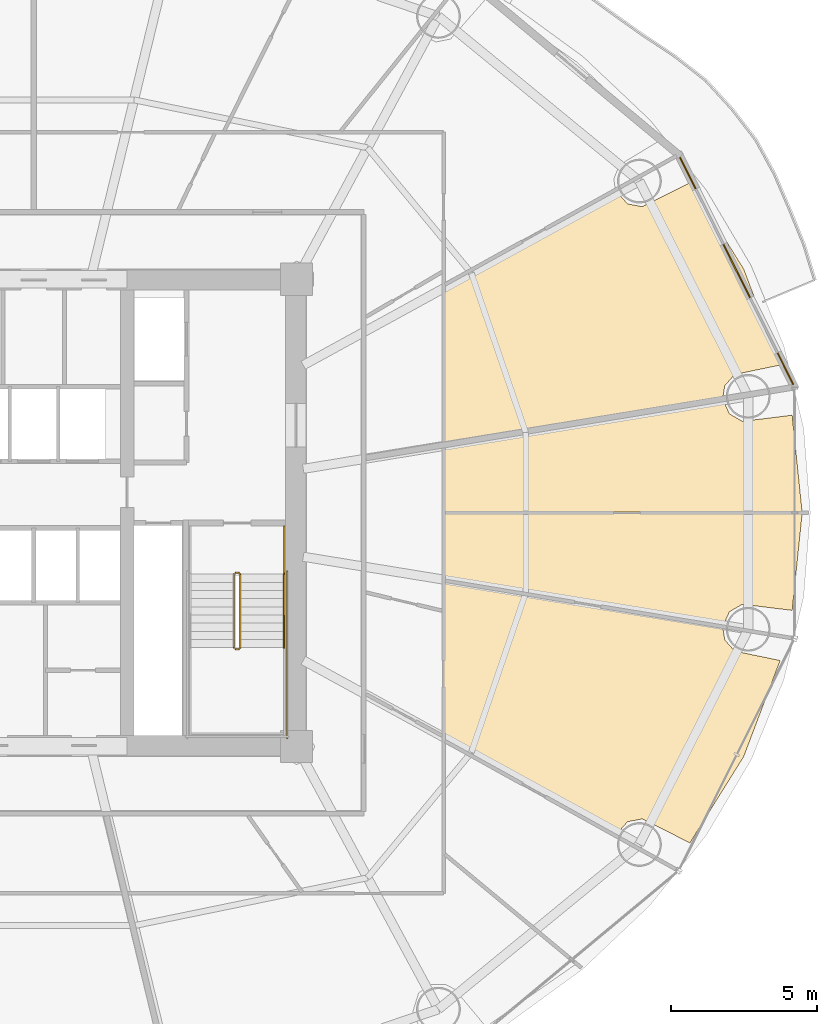
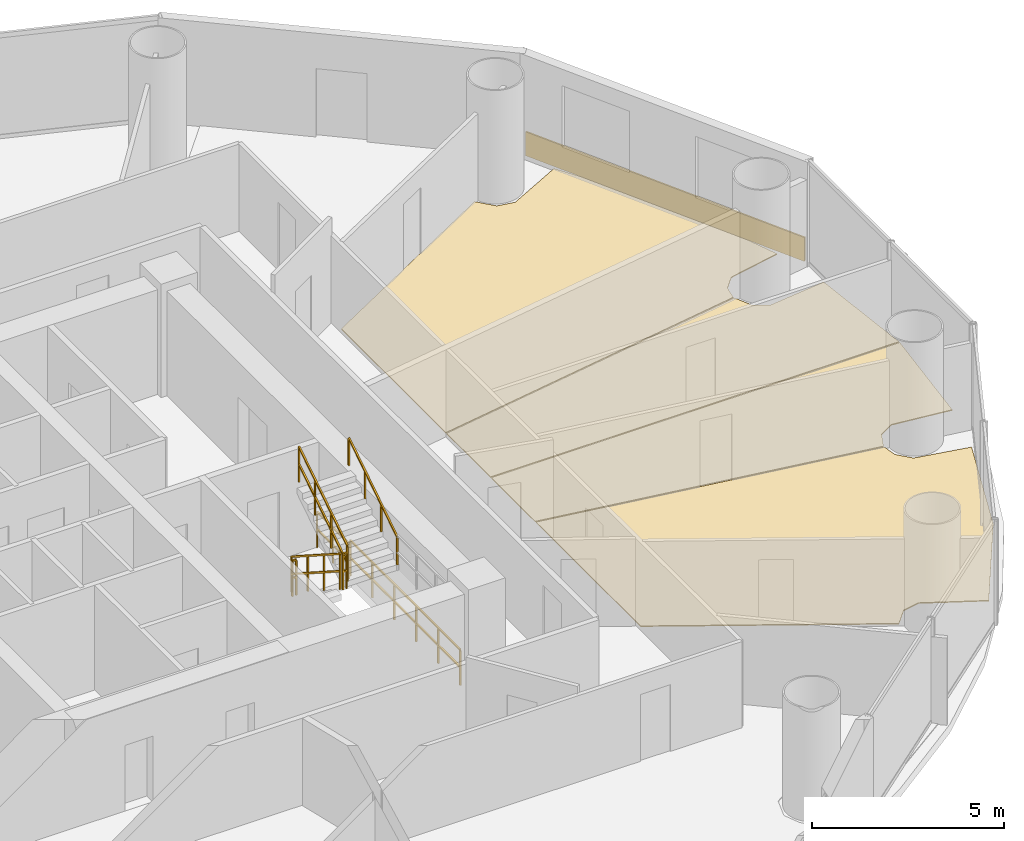
# One storey, part 28 of 29: 7 railings, 5 coverings.
"""IFC4 building model written with IfcOpenShell, lengths in metres."""

from ifc_helpers import new_model, si_unit, direction, frame, origin, origin_2d, place, context, subcontext, project, spatial, polyline, rectangle, outline, extrude, source, transform, mapped, material, layer, layer_set, type_object, element, save


model = new_model("IFC4")

# Units and contexts
model_context = context("Model", 3, precision=1e-05, world=origin(), true_north=direction((-0.2419218956, 0.970295726276)))
body_context = subcontext(model_context, "Body", "Model", "MODEL_VIEW")
ifc_project = project(units=[si_unit("LENGTHUNIT", "METRE"), si_unit("AREAUNIT", "SQUARE_METRE"), si_unit("VOLUMEUNIT", "CUBIC_METRE"), si_unit("PLANEANGLEUNIT", "RADIAN"), si_unit("MASSUNIT", "GRAM", prefix="KILO")], contexts=[model_context])

# Site, building, storey
site_placement = place(None, origin())
site = spatial("IfcSite", under=ifc_project, at=site_placement, CompositionType="ELEMENT")
building_placement = place(site_placement, origin())
building = spatial("IfcBuilding", under=site, at=building_placement, Name="Cobrevalo Terracotta Tower", CompositionType="ELEMENT")
storey_placement = place(building_placement, frame((0.0, 0.0, 79.800048828125)))
storey = spatial("IfcBuildingStorey", under=building, at=storey_placement, Name="L20", CompositionType="ELEMENT", Elevation=79.800048828125)

# Coverings
ifc_material_1 = material(Name="Engineered Brazilian hardwood flooring", Category="wood")
ifc_layer_1 = layer(ifc_material_1, 0.028076171875)
ifc_layer_set_1 = layer_set([ifc_layer_1], Name="Engineered Brazilian hardwood flooring")
covering_type_1 = type_object("IfcCoveringType", Name="Engineered Hardwood Suite Flooring 28", PredefinedType="FLOORING", material=ifc_layer_set_1)
covering_1_placement = place(storey_placement, origin())
element("IfcCovering", 1, at=covering_1_placement, inside=storey, type_object=covering_type_1, Name="Flat L20A Living and Dining Room floor finish", PredefinedType="FLOORING", context=body_context, shape_type="SweptSolid", body=[
    extrude(outline(polyline([(62.317138671875, 35.14892578125), (63.564208984375, 31.859619140625), (62.00732421875, 31.537841796875), (61.669677734375, 31.154541015625), (61.597412109375, 30.719970703125), (52.054931640625, 29.14306640625), (52.054931640625, 34.57958984375), (57.9296875, 37.8408203125), (58.338134765625, 37.381103515625), (58.84033203125, 37.286376953125), (60.474853515625, 38.10546875), (62.317138671875, 35.14892578125)])), origin(), (0.0, 0.0, 1.0), 0.030029296875),
])
covering_2_placement = place(storey_placement, origin())
element("IfcCovering", 2, at=covering_2_placement, inside=storey, type_object=covering_type_1, Name="Flat L20D Penthouse Family Lounge floor finish", PredefinedType="FLOORING", context=body_context, shape_type="SweptSolid", body=[
    extrude(outline(polyline([(60.474853515625, 15.49462890625), (58.84033203125, 16.3134765625), (58.338134765625, 16.218994140625), (57.9296875, 15.759033203125), (52.054931640625, 19.020263671875), (52.054931640625, 24.45703125), (61.597412109375, 22.8798828125), (61.669677734375, 22.445556640625), (62.00732421875, 22.06201171875), (63.564208984375, 21.740478515625), (62.317138671875, 18.451171875), (60.474853515625, 15.49462890625)])), origin(), (0.0, 0.0, 1.0), 0.030029296875),
])
covering_3_placement = place(storey_placement, origin())
element("IfcCovering", 3, at=covering_3_placement, inside=storey, type_object=covering_type_1, Name="Flat L20D Principal Guest Bedroom floor finish", PredefinedType="FLOORING", context=body_context, shape_type="SweptSolid", body=[
    extrude(outline(polyline([(64.318359375, 26.780029296875), (63.975830078125, 23.45654296875), (62.26904296875, 23.6669921875), (61.8271484375, 23.41064453125), (61.60302734375, 22.919677734375), (52.054931640625, 24.49755859375), (52.054931640625, 26.780029296875), (64.318359375, 26.780029296875)])), origin(), (0.0, 0.0, 1.0), 0.030029296875),
])
covering_4_placement = place(storey_placement, origin())
element("IfcCovering", 4, at=covering_4_placement, inside=storey, type_object=covering_type_1, Name="Flat L20D Penthouse Family Lounge floor finish", PredefinedType="FLOORING", context=body_context, shape_type="SweptSolid", body=[
    extrude(outline(polyline([(61.60302734375, 30.680419921875), (61.8271484375, 30.189208984375), (62.26904296875, 29.932861328125), (63.975830078125, 30.143310546875), (64.318359375, 26.820068359375), (52.054931640625, 26.820068359375), (52.054931640625, 29.1025390625), (61.60302734375, 30.680419921875)])), origin(), (0.0, 0.0, 1.0), 0.030029296875),
])

# Railings
ifc_material_2 = material(Name="Brushed stainless steel", Category="steel")
railing_type_1 = type_object("IfcRailingType", Name="Stainless Steel Stair Handrail 900", PredefinedType="HANDRAIL", material=ifc_material_2)
railing_1_placement = place(storey_placement, frame((46.574951171875, 22.179931640625, 1.97998046875)))
element("IfcRailing", 5, at=railing_1_placement, inside=storey, type_object=railing_type_1, Name="L20 ST-2 stair handrail 2", PredefinedType="HANDRAIL", context=body_context, shape_type="SweptSolid", body=[
    extrude(rectangle(XDim=0.048095703125, YDim=0.048095703125, at=origin_2d()), frame((0.0, 0.0, 0.8759765625), z_axis=(0.0, 0.841199657755, 0.540724639528), x_axis=(-1.0, 0.0, 0.0)), (0.0, 0.0, 1.0), 2.995849609375),
    extrude(rectangle(XDim=0.0419921875, YDim=0.0419921875, at=origin_2d()), origin(), (0.0, 0.0, 1.0), 0.851806640625),
    extrude(rectangle(XDim=0.0419921875, YDim=0.0419921875, at=origin_2d()), frame((0.0, 0.840087890625, 0.5400390625)), (0.0, 0.0, 1.0), 0.851806640625),
    extrude(rectangle(XDim=0.0419921875, YDim=0.0419921875, at=origin_2d()), frame((0.0, 1.679931640625, 1.079833984375)), (0.0, 0.0, 1.0), 0.851806640625),
    extrude(rectangle(XDim=0.0419921875, YDim=0.0419921875, at=origin_2d()), frame((0.0, 2.52001953125, 1.619873046875)), (0.0, 0.0, 1.0), 0.851806640625),
])
ifc_material_3 = material(Name="Painted galvanized steel", Category="steel")
railing_type_2 = type_object("IfcRailingType", Name="Stair Well Guard Balustrade 1150", PredefinedType="GUARDRAIL", material=ifc_material_3)
railing_2_placement = place(storey_placement, frame((44.85498046875, 24.699951171875, 0.179931640625)))
element("IfcRailing", 6, at=railing_2_placement, inside=storey, type_object=railing_type_2, Name="L20 ST-2 stair guard 1", PredefinedType="GUARDRAIL", context=body_context, shape_type="SweptSolid", body=[
    extrude(rectangle(XDim=0.048095703125, YDim=0.048095703125, at=origin_2d()), frame((0.0, 0.0, 1.1259765625), z_axis=(0.0, -0.841162588446, 0.540782303519), x_axis=(1.0, 0.0, 0.0)), (0.0, 0.0, 1.0), 2.995849609375),
    extrude(rectangle(XDim=0.048095703125, YDim=0.048095703125, at=origin_2d()), frame((0.0, 0.0, 0.574951171875), z_axis=(0.0, -0.841162588446, 0.540782303519), x_axis=(1.0, 0.0, 0.0)), (0.0, 0.0, 1.0), 2.995849609375),
    extrude(rectangle(XDim=0.0419921875, YDim=0.0419921875, at=origin_2d()), origin(), (0.0, 0.0, 1.0), 1.101806640625),
    extrude(rectangle(XDim=0.0419921875, YDim=0.0419921875, at=origin_2d()), frame((0.0, -0.840087890625, 0.5400390625)), (0.0, 0.0, 1.0), 1.101806640625),
    extrude(rectangle(XDim=0.0419921875, YDim=0.0419921875, at=origin_2d()), frame((0.0, -1.679931640625, 1.080078125)), (0.0, 0.0, 1.0), 1.101806640625),
    extrude(rectangle(XDim=0.0419921875, YDim=0.0419921875, at=origin_2d()), frame((0.0, -2.52001953125, 1.6201171875)), (0.0, 0.0, 1.0), 1.101806640625),
])
railing_3_placement = place(storey_placement, frame((44.905029296875, 22.1298828125, 1.800048828125)))
element("IfcRailing", 7, at=railing_3_placement, inside=storey, type_object=railing_type_2, Name="L20 ST-2 stair guard 2", PredefinedType="GUARDRAIL", context=body_context, shape_type="SweptSolid", body=[
    extrude(rectangle(XDim=0.048095703125, YDim=0.048095703125, at=origin_2d()), frame((0.0, 0.0, 1.1259765625), z_axis=(1.0, 0.0, 0.0), x_axis=(0.0, 1.0, 0.0)), (0.0, 0.0, 1.0), 0.119873046875),
    extrude(rectangle(XDim=0.048095703125, YDim=0.048095703125, at=origin_2d()), frame((0.0, 0.0, 0.574951171875), z_axis=(1.0, 0.0, 0.0), x_axis=(0.0, 1.0, 0.0)), (0.0, 0.0, 1.0), 0.119873046875),
    extrude(rectangle(XDim=0.0419921875, YDim=0.0419921875, at=origin_2d()), origin(), (0.0, 0.0, 1.0), 1.101806640625),
    extrude(rectangle(XDim=0.0419921875, YDim=0.0419921875, at=origin_2d()), frame((0.119873046875, 0.0, 0.0)), (0.0, 0.0, 1.0), 1.101806640625),
])
railing_4_placement = place(storey_placement, frame((45.074951171875, 22.179931640625, 1.97998046875)))
element("IfcRailing", 8, at=railing_4_placement, inside=storey, type_object=railing_type_2, Name="L20 ST-2 stair guard 6", PredefinedType="GUARDRAIL", context=body_context, shape_type="SweptSolid", body=[
    extrude(rectangle(XDim=0.048095703125, YDim=0.048095703125, at=origin_2d()), frame((0.0, 0.0, 1.1259765625), z_axis=(0.0, 0.841199657755, 0.540724639528), x_axis=(-1.0, 0.0, 0.0)), (0.0, 0.0, 1.0), 2.995849609375),
    extrude(rectangle(XDim=0.048095703125, YDim=0.048095703125, at=origin_2d()), frame((0.0, 0.0, 0.574951171875), z_axis=(0.0, 0.841199657755, 0.540724639528), x_axis=(-1.0, 0.0, 0.0)), (0.0, 0.0, 1.0), 2.995849609375),
    extrude(rectangle(XDim=0.0419921875, YDim=0.0419921875, at=origin_2d()), origin(), (0.0, 0.0, 1.0), 1.101806640625),
    extrude(rectangle(XDim=0.0419921875, YDim=0.0419921875, at=origin_2d()), frame((0.0, 0.840087890625, 0.5400390625)), (0.0, 0.0, 1.0), 1.101806640625),
    extrude(rectangle(XDim=0.0419921875, YDim=0.0419921875, at=origin_2d()), frame((0.0, 1.679931640625, 1.079833984375)), (0.0, 0.0, 1.0), 1.101806640625),
    extrude(rectangle(XDim=0.0419921875, YDim=0.0419921875, at=origin_2d()), frame((0.0, 2.52001953125, 1.619873046875)), (0.0, 0.0, 1.0), 1.101806640625),
])
railing_5_placement = place(storey_placement, frame((44.905029296875, 24.75, 0.0)))
element("IfcRailing", 9, at=railing_5_placement, inside=storey, type_object=railing_type_2, Name="L20 ST-2 stair guard 7", PredefinedType="GUARDRAIL", context=body_context, shape_type="SweptSolid", body=[
    extrude(rectangle(XDim=0.048095703125, YDim=0.048095703125, at=origin_2d()), frame((0.0, 0.0, 1.1259765625), z_axis=(1.0, 0.0, 0.0), x_axis=(0.0, 1.0, 0.0)), (0.0, 0.0, 1.0), 0.119873046875),
    extrude(rectangle(XDim=0.048095703125, YDim=0.048095703125, at=origin_2d()), frame((0.0, 0.0, 0.574951171875), z_axis=(1.0, 0.0, 0.0), x_axis=(0.0, 1.0, 0.0)), (0.0, 0.0, 1.0), 0.119873046875),
    extrude(rectangle(XDim=0.0419921875, YDim=0.0419921875, at=origin_2d()), origin(), (0.0, 0.0, 1.0), 1.101806640625),
    extrude(rectangle(XDim=0.0419921875, YDim=0.0419921875, at=origin_2d()), frame((0.119873046875, 0.0, 0.0)), (0.0, 0.0, 1.0), 1.101806640625),
])
railing_6_placement = place(storey_placement, frame((46.574951171875, 26.35009765625, 0.0)))
element("IfcRailing", 10, at=railing_6_placement, inside=storey, type_object=railing_type_2, Name="L20 ST-2 stair guard 9", PredefinedType="GUARDRAIL", context=body_context, shape_type="SweptSolid", body=[
    extrude(rectangle(XDim=0.048095703125, YDim=0.048095703125, at=origin_2d()), frame((0.0, 0.0, 1.1259765625), z_axis=(0.0, -1.0, 0.0), x_axis=(1.0, 0.0, 0.0)), (0.0, 0.0, 1.0), 1.650146484375),
    extrude(rectangle(XDim=0.048095703125, YDim=0.048095703125, at=origin_2d()), frame((0.0, 0.0, 0.574951171875), z_axis=(0.0, -1.0, 0.0), x_axis=(1.0, 0.0, 0.0)), (0.0, 0.0, 1.0), 1.650146484375),
    extrude(rectangle(XDim=0.0419921875, YDim=0.0419921875, at=origin_2d()), origin(), (0.0, 0.0, 1.0), 1.101806640625),
    extrude(rectangle(XDim=0.0419921875, YDim=0.0419921875, at=origin_2d()), frame((0.0, -0.8251953125, 0.0)), (0.0, 0.0, 1.0), 1.101806640625),
    extrude(rectangle(XDim=0.0419921875, YDim=0.0419921875, at=origin_2d()), frame((0.0, -1.650146484375, 0.0)), (0.0, 0.0, 1.0), 1.101806640625),
])
railing_7_placement = place(storey_placement, frame((46.675048828125, 24.800048828125, 0.0)))
element("IfcRailing", 11, at=railing_7_placement, inside=storey, type_object=railing_type_2, Name="L20 ST-2 stair guard 11", PredefinedType="GUARDRAIL", context=body_context, shape_type="SweptSolid", body=[
    extrude(rectangle(XDim=0.048095703125, YDim=0.048095703125, at=origin_2d()), frame((0.0, 0.0, 1.1259765625), z_axis=(0.0, -1.0, 0.0), x_axis=(1.0, 0.0, 0.0)), (0.0, 0.0, 1.0), 5.72509765625),
    extrude(rectangle(XDim=0.048095703125, YDim=0.048095703125, at=origin_2d()), frame((0.0, 0.0, 0.574951171875), z_axis=(0.0, -1.0, 0.0), x_axis=(1.0, 0.0, 0.0)), (0.0, 0.0, 1.0), 5.72509765625),
    extrude(rectangle(XDim=0.0419921875, YDim=0.0419921875, at=origin_2d()), origin(), (0.0, 0.0, 1.0), 1.101806640625),
    extrude(rectangle(XDim=0.0419921875, YDim=0.0419921875, at=origin_2d()), frame((0.0, -1.14501953125, 0.0)), (0.0, 0.0, 1.0), 1.101806640625),
    extrude(rectangle(XDim=0.0419921875, YDim=0.0419921875, at=origin_2d()), frame((0.0, -2.2900390625, 0.0)), (0.0, 0.0, 1.0), 1.101806640625),
    extrude(rectangle(XDim=0.0419921875, YDim=0.0419921875, at=origin_2d()), frame((0.0, -3.43505859375, 0.0)), (0.0, 0.0, 1.0), 1.101806640625),
    extrude(rectangle(XDim=0.0419921875, YDim=0.0419921875, at=origin_2d()), frame((0.0, -4.580078125, 0.0)), (0.0, 0.0, 1.0), 1.101806640625),
    extrude(rectangle(XDim=0.0419921875, YDim=0.0419921875, at=origin_2d()), frame((0.0, -5.72509765625, 0.0)), (0.0, 0.0, 1.0), 1.101806640625),
])

# Covering
ifc_material_4 = material(Name="Glazed terracotta facade cladding tile", Category="masonry")
ifc_layer_2 = layer(ifc_material_4, 0.044921875)
ifc_layer_set_2 = layer_set([ifc_layer_2], Name="Glazed terracotta facade cladding tile")
covering_type_2 = type_object("IfcCoveringType", Name="Architectural terracotta rainscreen spandrel cladding 45 mm", PredefinedType="CLADDING", material=ifc_layer_set_2)
shared_shape = source(origin(), body_context, "Body", "SweptSolid", [
    extrude(rectangle(XDim=8.690185546875, YDim=0.044921875, at=origin_2d()), origin(), (0.0, 0.0, 1.0), 0.760009765625),
])
covering_5_placement = place(storey_placement, frame((62.075927734375, 35.08349609375, 0.0400390625), z_axis=(0.0, 0.0, 1.0), x_axis=(-0.446261852127, 0.894902430065, 0.0)))
element("IfcCovering", 12, at=covering_5_placement, inside=storey, type_object=covering_type_2, Name="L20 terracotta spandrel cladding S01", PredefinedType="CLADDING", context=body_context, shape_type="MappedRepresentation", body=[
    mapped(shared_shape, transform((0.0, 0.0, 0.0), scale=1.0)),
])

save(model, "model.ifc")
